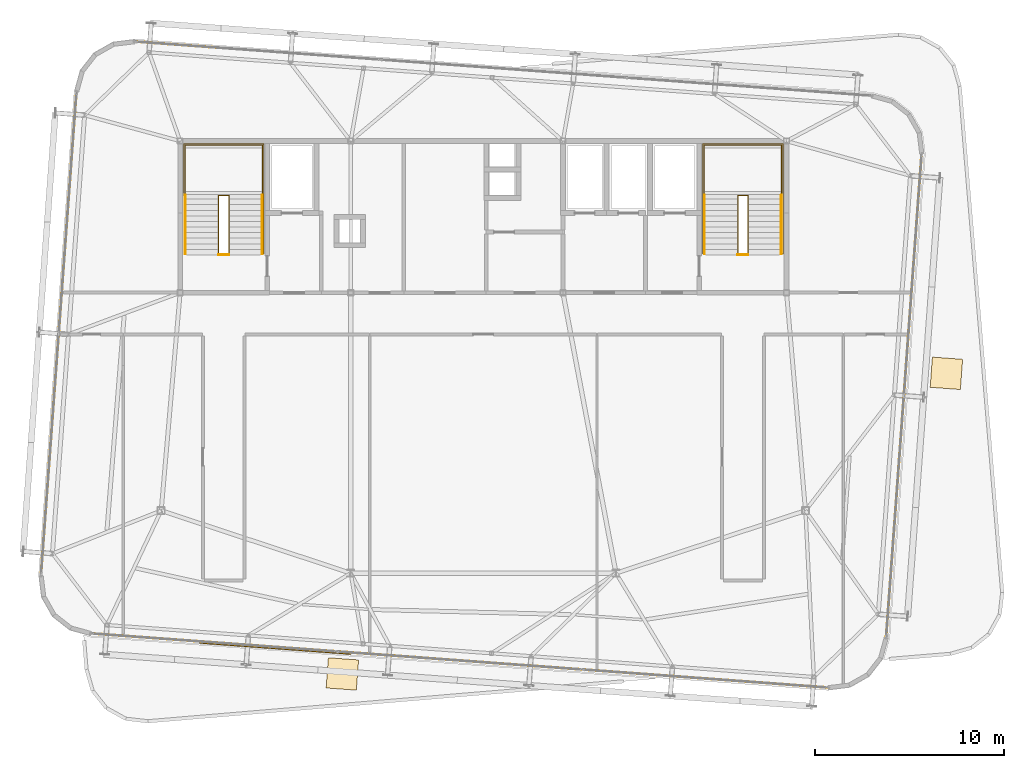
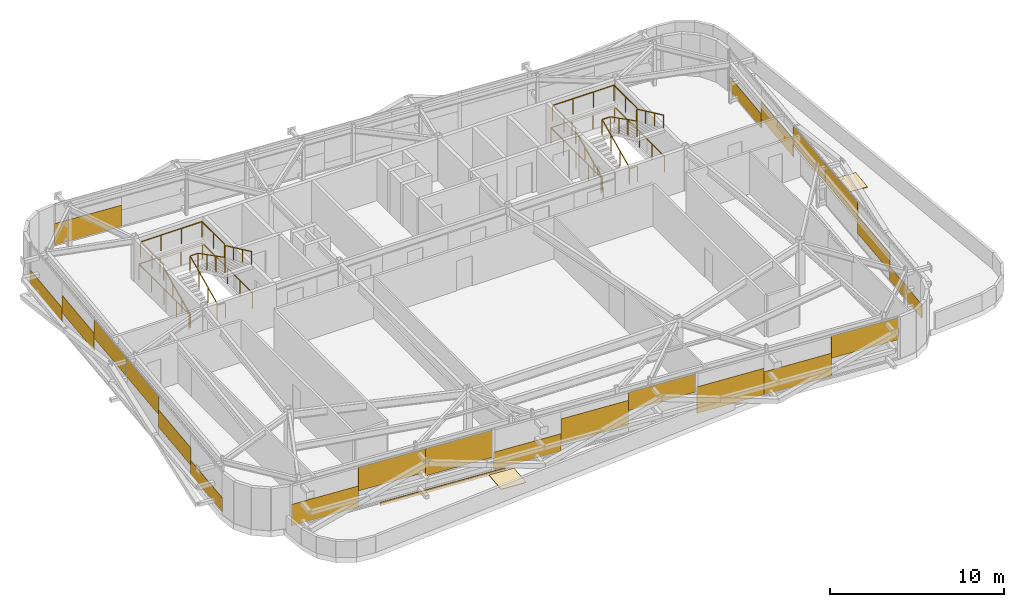
# One storey, part 36 of 37: 25 coverings, 12 railings.
"""IFC4 building model written with IfcOpenShell, lengths in metres."""

import ifcopenshell
import ifcopenshell.guid

model = None  # the IFC model being written
_history = None  # IfcOwnerHistory: only IFC2X3 demands one
_inside = {}  # id of a spatial element -> (the spatial element, [elements in it])
_under = {}  # id of a project, library or spatial element -> (it, [spatial elements below it])
_declared = {}  # id of a project -> (the project, [libraries it declares])
_typed = {}  # id of a type object -> (the type object, [elements of that type])
_made_of = {}  # id of a material, layer set ... -> (it, [elements and type objects made of it])


def new_model(schema):
    """Start an empty IFC model of exactly this schema.

    Asked for "IFC4X3", IfcOpenShell would pick the latest addendum, in which some entities
    have other attributes; the version numbers below select the first issue.
    IFC2X3 requires an IfcOwnerHistory on every rooted entity: one is made here for all.
    """
    global model, _history
    if schema == "IFC4X3":
        model = ifcopenshell.file(schema_version=(4, 3, 0, 0))
    else:
        model = ifcopenshell.file(schema=schema)
    _inside.clear()
    _under.clear()
    _declared.clear()
    _typed.clear()
    _made_of.clear()
    _history = None
    if model.schema == "IFC2X3":
        org = make("IfcOrganization", Name="unknown")
        user = make(
            "IfcPersonAndOrganization",
            ThePerson=make("IfcPerson", FamilyName="unknown"),
            TheOrganization=org,
        )
        app = make(
            "IfcApplication",
            ApplicationDeveloper=org,
            Version="unknown",
            ApplicationFullName="unknown",
            ApplicationIdentifier="unknown",
        )
        _history = make(
            "IfcOwnerHistory",
            OwningUser=user,
            OwningApplication=app,
            ChangeAction="ADDED",
            CreationDate=0,
        )
    return model


def make(cls, **values):
    """One entity of the class cls with the attributes given. An attribute that is None is left unset."""
    return model.create_entity(
        cls, **{name: value for name, value in values.items() if value is not None}
    )


def rooted(cls, **values):
    """An entity with a GlobalId (a new one), such as an element, a storey or a relation."""
    return make(cls, GlobalId=ifcopenshell.guid.new(), OwnerHistory=_history, **values)


def si_unit(unit_type, name, prefix=None):
    """IfcSIUnit, for example si_unit("LENGTHUNIT", "METRE", prefix="MILLI")."""
    return make("IfcSIUnit", UnitType=unit_type, Prefix=prefix, Name=name)


def assignment(units):
    """IfcUnitAssignment: the units of a project."""
    return None if units is None else make("IfcUnitAssignment", Units=units)


def point(xyz):
    """IfcCartesianPoint."""
    return None if xyz is None else make("IfcCartesianPoint", Coordinates=xyz)


def direction(xyz):
    """IfcDirection."""
    return None if xyz is None else make("IfcDirection", DirectionRatios=xyz)


def frame(location, z_axis=None, x_axis=None):
    """IfcAxis2Placement3D, a coordinate frame: its origin and axes. An axis left out is left unset."""
    return make(
        "IfcAxis2Placement3D",
        Location=point(location),
        Axis=direction(z_axis),
        RefDirection=direction(x_axis),
    )


def frame_2d(location, x_axis=None):
    """IfcAxis2Placement2D, a coordinate frame in the plane: its origin and x axis."""
    return make(
        "IfcAxis2Placement2D", Location=point(location), RefDirection=direction(x_axis)
    )


def origin():
    """The frame at (0, 0, 0) with its axes left unset."""
    return frame((0.0, 0.0, 0.0))


def origin_2d():
    """The frame at (0, 0) in the plane with its x axis left unset."""
    return frame_2d((0.0, 0.0))


def place(relative_to, where):
    """IfcLocalPlacement: puts the frame where relative to a parent placement (None: the world)."""
    return make(
        "IfcLocalPlacement", PlacementRelTo=relative_to, RelativePlacement=where
    )


def context(
    kind, dimensions, precision=None, world=None, true_north=None, identifier=None
):
    """IfcGeometricRepresentationContext, for example the 3D "Model" context."""
    return make(
        "IfcGeometricRepresentationContext",
        ContextIdentifier=identifier,
        ContextType=kind,
        CoordinateSpaceDimension=dimensions,
        Precision=precision,
        WorldCoordinateSystem=world,
        TrueNorth=true_north,
    )


def subcontext(parent, identifier, kind, view, scale=None):
    """IfcGeometricRepresentationSubContext, for example "Body" below "Model"."""
    return make(
        "IfcGeometricRepresentationSubContext",
        ContextIdentifier=identifier,
        ContextType=kind,
        ParentContext=parent,
        TargetScale=scale,
        TargetView=view,
    )


def project(units=None, contexts=None):
    """IfcProject with its units and contexts."""
    return rooted(
        "IfcProject",
        Name="project",
        RepresentationContexts=contexts,
        UnitsInContext=assignment(units),
    )


def spatial(cls, under=None, at=None, **own):
    """A site, building, storey or space (cls), placed at a placement, below another one or the project."""
    s = rooted(cls, ObjectPlacement=at, **own)
    if under is not None:
        _under.setdefault(under.id(), (under, []))[1].append(s)
    return s


def profile(cls, at=None, kind="AREA", **sizes):
    """A parametric profile (cls). Its sizes go by their IFC names, for example OverallWidth=200.0."""
    return make(cls, ProfileType=kind, Position=at, **sizes)


def rectangle(**sizes):
    """IfcRectangleProfileDef."""
    return profile("IfcRectangleProfileDef", **sizes)


def extrude(swept, where, along, depth):
    """IfcExtrudedAreaSolid: the profile swept, set in the frame where, extruded along a direction by depth."""
    return make(
        "IfcExtrudedAreaSolid",
        SweptArea=swept,
        Position=where,
        ExtrudedDirection=direction(along),
        Depth=depth,
    )


def shape(context_of_items, identifier, shape_type, items):
    """IfcShapeRepresentation: the items that make up one representation, for example the "Body"."""
    return make(
        "IfcShapeRepresentation",
        ContextOfItems=context_of_items,
        RepresentationIdentifier=identifier,
        RepresentationType=shape_type,
        Items=items,
    )


def source(mapping_origin, context_of_items, identifier, shape_type, items):
    """IfcRepresentationMap: a shape defined once, which mapped items show again and again."""
    return make(
        "IfcRepresentationMap",
        MappingOrigin=mapping_origin,
        MappedRepresentation=shape(context_of_items, identifier, shape_type, items),
    )


def transform(
    local_origin,
    x_axis=None,
    y_axis=None,
    z_axis=None,
    scale=None,
    scale2=None,
    scale3=None,
    uniform=True,
):
    """IfcCartesianTransformationOperator3D, or its non-uniform kind. x_axis, y_axis, z_axis: its Axis1, 2, 3."""
    if uniform:
        return make(
            "IfcCartesianTransformationOperator3D",
            Axis1=direction(x_axis),
            Axis2=direction(y_axis),
            LocalOrigin=point(local_origin),
            Scale=scale,
            Axis3=direction(z_axis),
        )
    return make(
        "IfcCartesianTransformationOperator3DnonUniform",
        Axis1=direction(x_axis),
        Axis2=direction(y_axis),
        LocalOrigin=point(local_origin),
        Scale=scale,
        Axis3=direction(z_axis),
        Scale2=scale2,
        Scale3=scale3,
    )


def mapped(mapping_source, mapping_target):
    """IfcMappedItem: shows the shape of a source again, moved by a transform."""
    return make(
        "IfcMappedItem", MappingSource=mapping_source, MappingTarget=mapping_target
    )


def material(Name=None, Category=None):
    """IfcMaterial."""
    return make("IfcMaterial", Name=Name, Category=Category)


def layer(
    of_material, thickness, ventilated=None, Name=None, Category=None, Priority=None
):
    """IfcMaterialLayer: one layer of a wall or slab, of a material (None: an air gap)."""
    return make(
        "IfcMaterialLayer",
        Material=of_material,
        LayerThickness=thickness,
        IsVentilated=ventilated,
        Name=Name,
        Category=Category,
        Priority=Priority,
    )


def layer_set(layers, Name=None):
    """IfcMaterialLayerSet."""
    return make("IfcMaterialLayerSet", MaterialLayers=layers, LayerSetName=Name)


def made_of(thing, what):
    """Note that an element or type object is made of a material, layer set ...; save() writes the relation."""
    if what is not None:
        _made_of.setdefault(what.id(), (what, []))[1].append(thing)
    return thing


def type_object(cls, material=None, **own):
    """A type object (cls), such as IfcWallType, which elements share."""
    return made_of(rooted(cls, **own), material)


def element(
    cls,
    number,
    at=None,
    inside=None,
    cuts=None,
    type_object=None,
    material=None,
    context=None,
    identifier="Body",
    shape_type=None,
    held_by="IfcProductDefinitionShape",
    body=None,
    shapes=None,
    **own,
):
    """One element of the class cls, such as IfcWall. Its Tag is "e" and its number.

    at: its placement. inside: the storey or other place that contains it. cuts: it is an
    opening in that element (IfcRelVoidsElement). A single representation is given by context,
    identifier, shape_type and body (its items); several are given by shapes. held_by: the class
    of the entity that holds the representations. save() writes the other relations.
    """
    e = rooted(cls, Tag="e%d" % number, ObjectPlacement=at, **own)
    if body is not None:
        shapes = [shape(context, identifier, shape_type, body)]
    if shapes is not None:
        e.Representation = make(held_by, Representations=shapes)
    if inside is not None:
        _inside.setdefault(inside.id(), (inside, []))[1].append(e)
    if cuts is not None:
        rooted(
            "IfcRelVoidsElement", RelatingBuildingElement=cuts, RelatedOpeningElement=e
        )
    if type_object is not None:
        _typed.setdefault(type_object.id(), (type_object, []))[1].append(e)
    return made_of(e, material)


def aggregate(whole, parts):
    """IfcRelAggregates: a whole, such as a stair, and the parts it consists of."""
    return rooted("IfcRelAggregates", RelatingObject=whole, RelatedObjects=parts)


def save(model, path):
    """Write the relations noted so far, then the file.

    IfcRelAggregates (storeys below a building ...), IfcRelContainedInSpatialStructure (elements
    in a storey), IfcRelDefinesByType, IfcRelAssociatesMaterial and IfcRelDeclares: one each for
    every whole, place, type object, material and project.
    """
    for whole, parts in _under.values():
        aggregate(whole, parts)
    for where, things in _inside.values():
        rooted(
            "IfcRelContainedInSpatialStructure",
            RelatedElements=things,
            RelatingStructure=where,
        )
    for kind, things in _typed.values():
        rooted("IfcRelDefinesByType", RelatedObjects=things, RelatingType=kind)
    for what, things in _made_of.values():
        rooted("IfcRelAssociatesMaterial", RelatedObjects=things, RelatingMaterial=what)
    for by, libraries in _declared.values():
        rooted("IfcRelDeclares", RelatingContext=by, RelatedDefinitions=libraries)
    model.write(path)


model = new_model("IFC4")

# Units and contexts
model_context = context("Model", 3, precision=1e-05, world=origin(), true_north=direction((0.0, 1.0)))
body_context = subcontext(model_context, "Body", "Model", "MODEL_VIEW")
ifc_project = project(units=[si_unit("LENGTHUNIT", "METRE"), si_unit("AREAUNIT", "SQUARE_METRE"), si_unit("VOLUMEUNIT", "CUBIC_METRE"), si_unit("PLANEANGLEUNIT", "RADIAN"), si_unit("MASSUNIT", "GRAM", prefix="KILO")], contexts=[model_context])

# Site, building, storey
site_placement = place(None, origin())
site = spatial("IfcSite", under=ifc_project, at=site_placement, CompositionType="ELEMENT")
building_placement = place(site_placement, origin())
building = spatial("IfcBuilding", under=site, at=building_placement, Name="Taldren Reach Tower", CompositionType="ELEMENT")
storey_placement = place(building_placement, frame((0.0, 0.0, 211.39990234375)))
storey = spatial("IfcBuildingStorey", under=building, at=storey_placement, Name="L64", CompositionType="ELEMENT", Elevation=211.39990234375)

# Railings
ifc_material_1 = material(Name="Steel Gr 350 (C350L0)", Category="steel")
ifc_layer_1 = layer(ifc_material_1, 0.050048828125)
ifc_layer_set_1 = layer_set([ifc_layer_1], Name="Steel Gr 350 (C350L0)")
railing_type_1 = type_object("IfcRailingType", Name="RL-STAIR-GR", PredefinedType="GUARDRAIL", material=ifc_layer_set_1)
railing_1_placement = place(storey_placement, frame((19.260009765625, 29.135009765625, 1.5751953125)))
element("IfcRailing", 1, at=railing_1_placement, inside=storey, type_object=railing_type_1, Name="Stair half-landing perimeter guard ST1-L64", PredefinedType="GUARDRAIL", context=body_context, shape_type="SweptSolid", body=[
    extrude(rectangle(XDim=0.047852, YDim=0.047852, at=origin_2d()), frame((0.0, 0.0, 1.09619140625), z_axis=(0.0, 1.0, 0.0), x_axis=(-1.0, 0.0, 0.0)), (0.0, 0.0, 1.0), 2.64501953125),
    extrude(rectangle(XDim=0.047852, YDim=0.047852, at=origin_2d()), frame((0.0, 2.64501953125, 1.09619140625), z_axis=(1.0, 0.0, 0.0), x_axis=(0.0, 1.0, 0.0)), (0.0, 0.0, 1.0), 4.080078125),
    extrude(rectangle(XDim=0.047852, YDim=0.047852, at=origin_2d()), frame((4.080078125, 2.64501953125, 1.09619140625), z_axis=(0.0, -1.0, 0.0), x_axis=(1.0, 0.0, 0.0)), (0.0, 0.0, 1.0), 2.64501953125),
    extrude(rectangle(XDim=0.041992, YDim=0.041992, at=origin_2d()), origin(), (0.0, 0.0, 1.0), 1.072021484375),
    extrude(rectangle(XDim=0.041992, YDim=0.041992, at=origin_2d()), frame((0.0, 1.322509765625, 0.0)), (0.0, 0.0, 1.0), 1.072021484375),
    extrude(rectangle(XDim=0.041992, YDim=0.041992, at=origin_2d()), frame((0.0, 2.64501953125, 0.0)), (0.0, 0.0, 1.0), 1.072021484375),
    extrude(rectangle(XDim=0.041992, YDim=0.041992, at=origin_2d()), frame((1.360107421875, 2.64501953125, 0.0)), (0.0, 0.0, 1.0), 1.072021484375),
    extrude(rectangle(XDim=0.041992, YDim=0.041992, at=origin_2d()), frame((2.719970703125, 2.64501953125, 0.0)), (0.0, 0.0, 1.0), 1.072021484375),
    extrude(rectangle(XDim=0.041992, YDim=0.041992, at=origin_2d()), frame((4.080078125, 2.64501953125, 0.0)), (0.0, 0.0, 1.0), 1.072021484375),
    extrude(rectangle(XDim=0.041992, YDim=0.041992, at=origin_2d()), frame((4.080078125, 1.322509765625, 0.0)), (0.0, 0.0, 1.0), 1.072021484375),
    extrude(rectangle(XDim=0.041992, YDim=0.041992, at=origin_2d()), frame((4.080078125, 0.0, 0.0)), (0.0, 0.0, 1.0), 1.072021484375),
])
railing_2_placement = place(storey_placement, frame((21.030029296875, 26.050048828125, 0.13134765625)))
element("IfcRailing", 2, at=railing_2_placement, inside=storey, type_object=railing_type_1, Name="Stairwell inner guard ST1-L64", PredefinedType="GUARDRAIL", context=body_context, shape_type="SweptSolid", body=[
    extrude(rectangle(XDim=0.047852, YDim=0.047852, at=origin_2d()), frame((0.0, 0.0, 1.09619140625), z_axis=(0.0, 0.905710134349, 0.423897573167), x_axis=(-1.0, 0.0, 0.0)), (0.0, 0.0, 1.0), 3.406005859375),
    extrude(rectangle(XDim=0.047852, YDim=0.047852, at=origin_2d()), frame((0.0, 3.0849609375, 2.5400390625), z_axis=(1.0, 0.0, 0.0), x_axis=(0.0, 1.0, 0.0)), (0.0, 0.0, 1.0), 0.5400390625),
    extrude(rectangle(XDim=0.047852, YDim=0.047852, at=origin_2d()), frame((0.5400390625, 3.0849609375, 2.5400390625), z_axis=(0.0, -0.890645957773, 0.45469745755), x_axis=(1.0, 0.0, 0.0)), (0.0, 0.0, 1.0), 3.463623046875),
    extrude(rectangle(XDim=0.041992, YDim=0.041992, at=origin_2d()), origin(), (0.0, 0.0, 1.0), 1.072021484375),
    extrude(rectangle(XDim=0.041992, YDim=0.041992, at=origin_2d()), frame((0.0, 1.0283203125, 0.481201171875)), (0.0, 0.0, 1.0), 1.072021484375),
    extrude(rectangle(XDim=0.041992, YDim=0.041992, at=origin_2d()), frame((0.0, 2.056640625, 0.962646484375)), (0.0, 0.0, 1.0), 1.072021484375),
    extrude(rectangle(XDim=0.041992, YDim=0.041992, at=origin_2d()), frame((0.0, 3.0849609375, 1.44384765625)), (0.0, 0.0, 1.0), 1.072021484375),
    extrude(rectangle(XDim=0.041992, YDim=0.041992, at=origin_2d()), frame((0.5400390625, 3.0849609375, 1.44384765625)), (0.0, 0.0, 1.0), 1.072021484375),
    extrude(rectangle(XDim=0.041992, YDim=0.041992, at=origin_2d()), frame((0.5400390625, 2.056640625, 1.96875)), (0.0, 0.0, 1.0), 1.072021484375),
    extrude(rectangle(XDim=0.041992, YDim=0.041992, at=origin_2d()), frame((0.5400390625, 1.0283203125, 2.493896484375)), (0.0, 0.0, 1.0), 1.072021484375),
    extrude(rectangle(XDim=0.041992, YDim=0.041992, at=origin_2d()), frame((0.5400390625, 0.0, 3.018798828125)), (0.0, 0.0, 1.0), 1.072021484375),
])
railing_3_placement = place(storey_placement, frame((21.030029296875, 26.010009765625, 0.0)))
element("IfcRailing", 3, at=railing_3_placement, inside=storey, type_object=railing_type_1, Name="Stairwell landing slot guard ST1-L64", PredefinedType="GUARDRAIL", context=body_context, shape_type="SweptSolid", body=[
    extrude(rectangle(XDim=0.047852, YDim=0.047852, at=origin_2d()), frame((0.0, 0.0, 1.09619140625), z_axis=(1.0, 0.0, 0.0), x_axis=(0.0, 1.0, 0.0)), (0.0, 0.0, 1.0), 0.5400390625),
    extrude(rectangle(XDim=0.041992, YDim=0.041992, at=origin_2d()), origin(), (0.0, 0.0, 1.0), 1.072021484375),
    extrude(rectangle(XDim=0.041992, YDim=0.041992, at=origin_2d()), frame((0.5400390625, 0.0, 0.0)), (0.0, 0.0, 1.0), 1.072021484375),
])
railing_4_placement = place(storey_placement, frame((19.18994140625, 26.050048828125, 0.0)))
element("IfcRailing", 4, at=railing_4_placement, inside=storey, type_object=railing_type_1, Name="Stairwell floor opening guard ST1-L64", PredefinedType="GUARDRAIL", context=body_context, shape_type="SweptSolid", body=[
    extrude(rectangle(XDim=0.047852, YDim=0.047852, at=origin_2d()), frame((0.0, 0.0, 1.09619140625), z_axis=(0.0, 1.0, 0.0), x_axis=(-1.0, 0.0, 0.0)), (0.0, 0.0, 1.0), 5.800048828125),
    extrude(rectangle(XDim=0.047852, YDim=0.047852, at=origin_2d()), frame((0.0, 5.800048828125, 1.09619140625), z_axis=(1.0, 0.0, 0.0), x_axis=(0.0, 1.0, 0.0)), (0.0, 0.0, 1.0), 4.219970703125),
    extrude(rectangle(XDim=0.047852, YDim=0.047852, at=origin_2d()), frame((4.219970703125, 5.800048828125, 1.09619140625), z_axis=(0.0, -1.0, 0.0), x_axis=(1.0, 0.0, 0.0)), (0.0, 0.0, 1.0), 5.800048828125),
    extrude(rectangle(XDim=0.041992, YDim=0.041992, at=origin_2d()), origin(), (0.0, 0.0, 1.0), 1.072021484375),
    extrude(rectangle(XDim=0.041992, YDim=0.041992, at=origin_2d()), frame((0.0, 1.449951171875, 0.0)), (0.0, 0.0, 1.0), 1.072021484375),
    extrude(rectangle(XDim=0.041992, YDim=0.041992, at=origin_2d()), frame((0.0, 2.89990234375, 0.0)), (0.0, 0.0, 1.0), 1.072021484375),
    extrude(rectangle(XDim=0.041992, YDim=0.041992, at=origin_2d()), frame((0.0, 4.35009765625, 0.0)), (0.0, 0.0, 1.0), 1.072021484375),
    extrude(rectangle(XDim=0.041992, YDim=0.041992, at=origin_2d()), frame((0.0, 5.800048828125, 0.0)), (0.0, 0.0, 1.0), 1.072021484375),
    extrude(rectangle(XDim=0.041992, YDim=0.041992, at=origin_2d()), frame((1.40673828125, 5.800048828125, 0.0)), (0.0, 0.0, 1.0), 1.072021484375),
    extrude(rectangle(XDim=0.041992, YDim=0.041992, at=origin_2d()), frame((2.813232421875, 5.800048828125, 0.0)), (0.0, 0.0, 1.0), 1.072021484375),
    extrude(rectangle(XDim=0.041992, YDim=0.041992, at=origin_2d()), frame((4.219970703125, 5.800048828125, 0.0)), (0.0, 0.0, 1.0), 1.072021484375),
    extrude(rectangle(XDim=0.041992, YDim=0.041992, at=origin_2d()), frame((4.219970703125, 4.35009765625, 0.0)), (0.0, 0.0, 1.0), 1.072021484375),
    extrude(rectangle(XDim=0.041992, YDim=0.041992, at=origin_2d()), frame((4.219970703125, 2.89990234375, 0.0)), (0.0, 0.0, 1.0), 1.072021484375),
    extrude(rectangle(XDim=0.041992, YDim=0.041992, at=origin_2d()), frame((4.219970703125, 1.449951171875, 0.0)), (0.0, 0.0, 1.0), 1.072021484375),
    extrude(rectangle(XDim=0.041992, YDim=0.041992, at=origin_2d()), frame((4.219970703125, 0.0, 0.0)), (0.0, 0.0, 1.0), 1.072021484375),
])
railing_5_placement = place(storey_placement, frame((46.659912109375, 29.135009765625, 1.5751953125)))
element("IfcRailing", 5, at=railing_5_placement, inside=storey, type_object=railing_type_1, Name="Stair half-landing perimeter guard ST2-L64", PredefinedType="GUARDRAIL", context=body_context, shape_type="SweptSolid", body=[
    extrude(rectangle(XDim=0.047852, YDim=0.047852, at=origin_2d()), frame((0.0, 0.0, 1.09619140625), z_axis=(0.0, 1.0, 0.0), x_axis=(-1.0, 0.0, 0.0)), (0.0, 0.0, 1.0), 2.64501953125),
    extrude(rectangle(XDim=0.047852, YDim=0.047852, at=origin_2d()), frame((0.0, 2.64501953125, 1.09619140625), z_axis=(1.0, 0.0, 0.0), x_axis=(0.0, 1.0, 0.0)), (0.0, 0.0, 1.0), 4.080078125),
    extrude(rectangle(XDim=0.047852, YDim=0.047852, at=origin_2d()), frame((4.080078125, 2.64501953125, 1.09619140625), z_axis=(0.0, -1.0, 0.0), x_axis=(1.0, 0.0, 0.0)), (0.0, 0.0, 1.0), 2.64501953125),
    extrude(rectangle(XDim=0.041992, YDim=0.041992, at=origin_2d()), origin(), (0.0, 0.0, 1.0), 1.072021484375),
    extrude(rectangle(XDim=0.041992, YDim=0.041992, at=origin_2d()), frame((0.0, 1.322509765625, 0.0)), (0.0, 0.0, 1.0), 1.072021484375),
    extrude(rectangle(XDim=0.041992, YDim=0.041992, at=origin_2d()), frame((0.0, 2.64501953125, 0.0)), (0.0, 0.0, 1.0), 1.072021484375),
    extrude(rectangle(XDim=0.041992, YDim=0.041992, at=origin_2d()), frame((1.360107421875, 2.64501953125, 0.0)), (0.0, 0.0, 1.0), 1.072021484375),
    extrude(rectangle(XDim=0.041992, YDim=0.041992, at=origin_2d()), frame((2.719970703125, 2.64501953125, 0.0)), (0.0, 0.0, 1.0), 1.072021484375),
    extrude(rectangle(XDim=0.041992, YDim=0.041992, at=origin_2d()), frame((4.080078125, 2.64501953125, 0.0)), (0.0, 0.0, 1.0), 1.072021484375),
    extrude(rectangle(XDim=0.041992, YDim=0.041992, at=origin_2d()), frame((4.080078125, 1.322509765625, 0.0)), (0.0, 0.0, 1.0), 1.072021484375),
    extrude(rectangle(XDim=0.041992, YDim=0.041992, at=origin_2d()), frame((4.080078125, 0.0, 0.0)), (0.0, 0.0, 1.0), 1.072021484375),
])
railing_6_placement = place(storey_placement, frame((48.429931640625, 26.050048828125, 0.13134765625)))
element("IfcRailing", 6, at=railing_6_placement, inside=storey, type_object=railing_type_1, Name="Stairwell inner guard ST2-L64", PredefinedType="GUARDRAIL", context=body_context, shape_type="SweptSolid", body=[
    extrude(rectangle(XDim=0.047852, YDim=0.047852, at=origin_2d()), frame((0.0, 0.0, 1.09619140625), z_axis=(0.0, 0.905710134349, 0.423897573167), x_axis=(-1.0, 0.0, 0.0)), (0.0, 0.0, 1.0), 3.406005859375),
    extrude(rectangle(XDim=0.047852, YDim=0.047852, at=origin_2d()), frame((0.0, 3.0849609375, 2.5400390625), z_axis=(1.0, 0.0, 0.0), x_axis=(0.0, 1.0, 0.0)), (0.0, 0.0, 1.0), 0.5400390625),
    extrude(rectangle(XDim=0.047852, YDim=0.047852, at=origin_2d()), frame((0.5400390625, 3.0849609375, 2.5400390625), z_axis=(0.0, -0.890645957773, 0.45469745755), x_axis=(1.0, 0.0, 0.0)), (0.0, 0.0, 1.0), 3.463623046875),
    extrude(rectangle(XDim=0.041992, YDim=0.041992, at=origin_2d()), origin(), (0.0, 0.0, 1.0), 1.072021484375),
    extrude(rectangle(XDim=0.041992, YDim=0.041992, at=origin_2d()), frame((0.0, 1.0283203125, 0.481201171875)), (0.0, 0.0, 1.0), 1.072021484375),
    extrude(rectangle(XDim=0.041992, YDim=0.041992, at=origin_2d()), frame((0.0, 2.056640625, 0.962646484375)), (0.0, 0.0, 1.0), 1.072021484375),
    extrude(rectangle(XDim=0.041992, YDim=0.041992, at=origin_2d()), frame((0.0, 3.0849609375, 1.44384765625)), (0.0, 0.0, 1.0), 1.072021484375),
    extrude(rectangle(XDim=0.041992, YDim=0.041992, at=origin_2d()), frame((0.5400390625, 3.0849609375, 1.44384765625)), (0.0, 0.0, 1.0), 1.072021484375),
    extrude(rectangle(XDim=0.041992, YDim=0.041992, at=origin_2d()), frame((0.5400390625, 2.056640625, 1.96875)), (0.0, 0.0, 1.0), 1.072021484375),
    extrude(rectangle(XDim=0.041992, YDim=0.041992, at=origin_2d()), frame((0.5400390625, 1.0283203125, 2.493896484375)), (0.0, 0.0, 1.0), 1.072021484375),
    extrude(rectangle(XDim=0.041992, YDim=0.041992, at=origin_2d()), frame((0.5400390625, 0.0, 3.018798828125)), (0.0, 0.0, 1.0), 1.072021484375),
])
railing_7_placement = place(storey_placement, frame((48.429931640625, 26.010009765625, 0.0)))
element("IfcRailing", 7, at=railing_7_placement, inside=storey, type_object=railing_type_1, Name="Stairwell landing slot guard ST2-L64", PredefinedType="GUARDRAIL", context=body_context, shape_type="SweptSolid", body=[
    extrude(rectangle(XDim=0.047852, YDim=0.047852, at=origin_2d()), frame((0.0, 0.0, 1.09619140625), z_axis=(1.0, 0.0, 0.0), x_axis=(0.0, 1.0, 0.0)), (0.0, 0.0, 1.0), 0.5400390625),
    extrude(rectangle(XDim=0.041992, YDim=0.041992, at=origin_2d()), origin(), (0.0, 0.0, 1.0), 1.072021484375),
    extrude(rectangle(XDim=0.041992, YDim=0.041992, at=origin_2d()), frame((0.5400390625, 0.0, 0.0)), (0.0, 0.0, 1.0), 1.072021484375),
])
railing_8_placement = place(storey_placement, frame((46.590087890625, 26.050048828125, 0.0)))
element("IfcRailing", 8, at=railing_8_placement, inside=storey, type_object=railing_type_1, Name="Stairwell floor opening guard ST2-L64", PredefinedType="GUARDRAIL", context=body_context, shape_type="SweptSolid", body=[
    extrude(rectangle(XDim=0.047852, YDim=0.047852, at=origin_2d()), frame((0.0, 0.0, 1.09619140625), z_axis=(0.0, 1.0, 0.0), x_axis=(-1.0, 0.0, 0.0)), (0.0, 0.0, 1.0), 5.800048828125),
    extrude(rectangle(XDim=0.047852, YDim=0.047852, at=origin_2d()), frame((0.0, 5.800048828125, 1.09619140625), z_axis=(1.0, 0.0, 0.0), x_axis=(0.0, 1.0, 0.0)), (0.0, 0.0, 1.0), 4.219970703125),
    extrude(rectangle(XDim=0.047852, YDim=0.047852, at=origin_2d()), frame((4.219970703125, 5.800048828125, 1.09619140625), z_axis=(0.0, -1.0, 0.0), x_axis=(1.0, 0.0, 0.0)), (0.0, 0.0, 1.0), 5.800048828125),
    extrude(rectangle(XDim=0.041992, YDim=0.041992, at=origin_2d()), origin(), (0.0, 0.0, 1.0), 1.072021484375),
    extrude(rectangle(XDim=0.041992, YDim=0.041992, at=origin_2d()), frame((0.0, 1.449951171875, 0.0)), (0.0, 0.0, 1.0), 1.072021484375),
    extrude(rectangle(XDim=0.041992, YDim=0.041992, at=origin_2d()), frame((0.0, 2.89990234375, 0.0)), (0.0, 0.0, 1.0), 1.072021484375),
    extrude(rectangle(XDim=0.041992, YDim=0.041992, at=origin_2d()), frame((0.0, 4.35009765625, 0.0)), (0.0, 0.0, 1.0), 1.072021484375),
    extrude(rectangle(XDim=0.041992, YDim=0.041992, at=origin_2d()), frame((0.0, 5.800048828125, 0.0)), (0.0, 0.0, 1.0), 1.072021484375),
    extrude(rectangle(XDim=0.041992, YDim=0.041992, at=origin_2d()), frame((1.40673828125, 5.800048828125, 0.0)), (0.0, 0.0, 1.0), 1.072021484375),
    extrude(rectangle(XDim=0.041992, YDim=0.041992, at=origin_2d()), frame((2.813232421875, 5.800048828125, 0.0)), (0.0, 0.0, 1.0), 1.072021484375),
    extrude(rectangle(XDim=0.041992, YDim=0.041992, at=origin_2d()), frame((4.219970703125, 5.800048828125, 0.0)), (0.0, 0.0, 1.0), 1.072021484375),
    extrude(rectangle(XDim=0.041992, YDim=0.041992, at=origin_2d()), frame((4.219970703125, 4.35009765625, 0.0)), (0.0, 0.0, 1.0), 1.072021484375),
    extrude(rectangle(XDim=0.041992, YDim=0.041992, at=origin_2d()), frame((4.219970703125, 2.89990234375, 0.0)), (0.0, 0.0, 1.0), 1.072021484375),
    extrude(rectangle(XDim=0.041992, YDim=0.041992, at=origin_2d()), frame((4.219970703125, 1.449951171875, 0.0)), (0.0, 0.0, 1.0), 1.072021484375),
    extrude(rectangle(XDim=0.041992, YDim=0.041992, at=origin_2d()), frame((4.219970703125, 0.0, 0.0)), (0.0, 0.0, 1.0), 1.072021484375),
])
ifc_material_2 = material(Name="Stainless Steel Gr 316", Category="steel")
ifc_layer_2 = layer(ifc_material_2, 0.048095703125)
ifc_layer_set_2 = layer_set([ifc_layer_2], Name="Stainless Steel Gr 316")
railing_type_2 = type_object("IfcRailingType", Name="RL-STAIR-HR", PredefinedType="HANDRAIL", material=ifc_layer_set_2)
railing_9_placement = place(storey_placement, frame((19.27001953125, 26.050048828125, 0.13134765625)))
element("IfcRailing", 9, at=railing_9_placement, inside=storey, type_object=railing_type_2, Name="Stair flight handrail ST1-L64-1", PredefinedType="HANDRAIL", context=body_context, shape_type="SweptSolid", body=[
    extrude(rectangle(XDim=0.047852, YDim=0.047852, at=origin_2d()), frame((0.0, 0.0, 0.89599609375), z_axis=(0.0, 0.905710134349, 0.423897573167), x_axis=(-1.0, 0.0, 0.0)), (0.0, 0.0, 1.0), 3.406005859375),
    extrude(rectangle(XDim=0.041992, YDim=0.041992, at=origin_2d()), origin(), (0.0, 0.0, 1.0), 0.871826171875),
    extrude(rectangle(XDim=0.041992, YDim=0.041992, at=origin_2d()), frame((0.0, 1.0283203125, 0.481201171875)), (0.0, 0.0, 1.0), 0.871826171875),
    extrude(rectangle(XDim=0.041992, YDim=0.041992, at=origin_2d()), frame((0.0, 2.056640625, 0.962646484375)), (0.0, 0.0, 1.0), 0.871826171875),
    extrude(rectangle(XDim=0.041992, YDim=0.041992, at=origin_2d()), frame((0.0, 3.0849609375, 1.44384765625)), (0.0, 0.0, 1.0), 0.871826171875),
])
railing_10_placement = place(storey_placement, frame((23.330078125, 29.135009765625, 1.706298828125)))
element("IfcRailing", 10, at=railing_10_placement, inside=storey, type_object=railing_type_2, Name="Stair flight handrail ST1-L64-2", PredefinedType="HANDRAIL", context=body_context, shape_type="SweptSolid", body=[
    extrude(rectangle(XDim=0.047852, YDim=0.047852, at=origin_2d()), frame((0.0, 0.0, 0.89599609375), z_axis=(0.0, -0.905710134349, 0.423897573167), x_axis=(1.0, 0.0, 0.0)), (0.0, 0.0, 1.0), 3.406005859375),
    extrude(rectangle(XDim=0.041992, YDim=0.041992, at=origin_2d()), origin(), (0.0, 0.0, 1.0), 0.871826171875),
    extrude(rectangle(XDim=0.041992, YDim=0.041992, at=origin_2d()), frame((0.0, -1.0283203125, 0.481201171875)), (0.0, 0.0, 1.0), 0.871826171875),
    extrude(rectangle(XDim=0.041992, YDim=0.041992, at=origin_2d()), frame((0.0, -2.056640625, 0.962646484375)), (0.0, 0.0, 1.0), 0.871826171875),
    extrude(rectangle(XDim=0.041992, YDim=0.041992, at=origin_2d()), frame((0.0, -3.0849609375, 1.44384765625)), (0.0, 0.0, 1.0), 0.871826171875),
])
railing_11_placement = place(storey_placement, frame((46.669921875, 26.050048828125, 0.13134765625)))
element("IfcRailing", 11, at=railing_11_placement, inside=storey, type_object=railing_type_2, Name="Stair flight handrail ST2-L64-1", PredefinedType="HANDRAIL", context=body_context, shape_type="SweptSolid", body=[
    extrude(rectangle(XDim=0.047852, YDim=0.047852, at=origin_2d()), frame((0.0, 0.0, 0.89599609375), z_axis=(0.0, 0.905710134349, 0.423897573167), x_axis=(-1.0, 0.0, 0.0)), (0.0, 0.0, 1.0), 3.406005859375),
    extrude(rectangle(XDim=0.041992, YDim=0.041992, at=origin_2d()), origin(), (0.0, 0.0, 1.0), 0.871826171875),
    extrude(rectangle(XDim=0.041992, YDim=0.041992, at=origin_2d()), frame((0.0, 1.0283203125, 0.481201171875)), (0.0, 0.0, 1.0), 0.871826171875),
    extrude(rectangle(XDim=0.041992, YDim=0.041992, at=origin_2d()), frame((0.0, 2.056640625, 0.962646484375)), (0.0, 0.0, 1.0), 0.871826171875),
    extrude(rectangle(XDim=0.041992, YDim=0.041992, at=origin_2d()), frame((0.0, 3.0849609375, 1.44384765625)), (0.0, 0.0, 1.0), 0.871826171875),
])
railing_12_placement = place(storey_placement, frame((50.72998046875, 29.135009765625, 1.706298828125)))
element("IfcRailing", 12, at=railing_12_placement, inside=storey, type_object=railing_type_2, Name="Stair flight handrail ST2-L64-2", PredefinedType="HANDRAIL", context=body_context, shape_type="SweptSolid", body=[
    extrude(rectangle(XDim=0.047852, YDim=0.047852, at=origin_2d()), frame((0.0, 0.0, 0.89599609375), z_axis=(0.0, -0.905710134349, 0.423897573167), x_axis=(1.0, 0.0, 0.0)), (0.0, 0.0, 1.0), 3.406005859375),
    extrude(rectangle(XDim=0.041992, YDim=0.041992, at=origin_2d()), origin(), (0.0, 0.0, 1.0), 0.871826171875),
    extrude(rectangle(XDim=0.041992, YDim=0.041992, at=origin_2d()), frame((0.0, -1.0283203125, 0.481201171875)), (0.0, 0.0, 1.0), 0.871826171875),
    extrude(rectangle(XDim=0.041992, YDim=0.041992, at=origin_2d()), frame((0.0, -2.056640625, 0.962646484375)), (0.0, 0.0, 1.0), 0.871826171875),
    extrude(rectangle(XDim=0.041992, YDim=0.041992, at=origin_2d()), frame((0.0, -3.0849609375, 1.44384765625)), (0.0, 0.0, 1.0), 0.871826171875),
])

# Coverings
ifc_material_3 = material(Name="Pale Champagne Fluoropolymer Aluminium Spandrel Cladding", Category="aluminium")
ifc_layer_3 = layer(ifc_material_3, 0.06005859375)
ifc_layer_set_3 = layer_set([ifc_layer_3], Name="Pale Champagne Fluoropolymer Aluminium Spandrel Cladding")
covering_type_1 = type_object("IfcCoveringType", Name="CV-CLAD-060", PredefinedType="CLADDING", material=ifc_layer_set_3)
shared_shape_1 = source(origin(), body_context, "Body", "SweptSolid", [
    extrude(rectangle(XDim=8.0, YDim=0.06005859375, at=origin_2d()), origin(), (0.0, 0.0, 1.0), 0.219970703125),
])
covering_1_placement = place(storey_placement, frame((24.02490234375, 5.236328125, -0.2197265625), z_axis=(0.0, 0.0, 1.0), x_axis=(0.997314477224, -0.073238197128, 0.0)))
element("IfcCovering", 13, at=covering_1_placement, inside=storey, type_object=covering_type_1, Name="Pale-metal architectural fascia band L64", PredefinedType="CLADDING", context=body_context, shape_type="MappedRepresentation", body=[
    mapped(shared_shape_1, transform((0.0, 0.0, 0.0), scale=1.0)),
])
ifc_material_4 = material(Name="SBS Modified Bitumen Waterproofing and Ballast Membrane")
ifc_layer_4 = layer(ifc_material_4, 0.080078125)
ifc_layer_set_4 = layer_set([ifc_layer_4], Name="SBS Modified Bitumen Waterproofing and Ballast Membrane")
covering_type_2 = type_object("IfcCoveringType", Name="CV-ROOF-080", PredefinedType="ROOFING", material=ifc_layer_set_4)
shared_shape_2 = source(origin(), body_context, "Body", "SweptSolid", [
    extrude(rectangle(XDim=1.60009765625, YDim=1.60009765625, at=origin_2d()), origin(), (0.0, 0.0, 1.0), 0.0400390625),
])
for number, where, z_axis, x_axis, name in (
    (14, (59.43603515625, 19.745849609375, 0.0), (0.0, 0.0, 1.0), (0.997314477224, -0.073238197128, 0.0), "Terrace waterproofing layer L64-1"),
    (15, (27.560302734375, 3.879638671875, 0.0), (0.0, 0.0, 1.0), (0.997314477224, -0.073238197128, 0.0), "Terrace waterproofing layer L64-2"),
):
    element("IfcCovering", number, at=place(storey_placement, frame(where, z_axis=z_axis, x_axis=x_axis)), inside=storey, type_object=covering_type_2, Name=name, PredefinedType="ROOFING", context=body_context, shape_type="MappedRepresentation", body=[
        mapped(shared_shape_2, transform((0.0, 0.0, 0.0), scale=1.0)),
    ])
ifc_layer_5 = layer(ifc_material_3, 0.0439453125)
ifc_layer_set_5 = layer_set([ifc_layer_5], Name="Pale Champagne Fluoropolymer Aluminium Spandrel Cladding")
covering_type_3 = type_object("IfcCoveringType", Name="CV-CLAD-044", PredefinedType="CLADDING", material=ifc_layer_set_5)
shared_shape_3 = source(origin(), body_context, "Body", "SweptSolid", [
    extrude(rectangle(XDim=4.2958984375, YDim=0.0439453125, at=origin_2d()), origin(), (0.0, 0.0, 1.0), 1.495849609375),
])
for number, where, z_axis, x_axis, name in (
    (16, (16.5224609375, 5.847412109375, 0.06005859375), (0.0, 0.0, 1.0), (0.997314476006, -0.073238213716, 0.0), "Diagrid closure cladding strip CW-6 panel 1.1 1"),
    (17, (18.816162109375, 37.083251953125, 0.06005859375), (0.0, 0.0, 1.0), (-0.997314476006, 0.073238213716, 0.0), "Diagrid closure cladding strip CW-6 panel 3.1 3"),
):
    element("IfcCovering", number, at=place(storey_placement, frame(where, z_axis=z_axis, x_axis=x_axis)), inside=storey, type_object=covering_type_3, Name=name, PredefinedType="CLADDING", context=body_context, shape_type="MappedRepresentation", body=[
        mapped(shared_shape_3, transform((0.0, 0.0, 0.0), scale=1.0)),
    ])
shared_shape_4 = source(origin(), body_context, "Body", "SweptSolid", [
    extrude(rectangle(XDim=4.2958984375, YDim=0.0439453125, at=origin_2d()), origin(), (0.0, 0.0, 1.0), 1.665771484375),
])
covering_2_placement = place(storey_placement, frame((20.806640625, 5.53271484375, 1.2041015625), z_axis=(0.0, 0.0, 1.0), x_axis=(0.997314476006, -0.073238213716, 0.0)))
element("IfcCovering", 18, at=covering_2_placement, inside=storey, type_object=covering_type_3, Name="Diagrid closure cladding strip CW-6 panel 1.1 2", PredefinedType="CLADDING", context=body_context, shape_type="MappedRepresentation", body=[
    mapped(shared_shape_4, transform((0.0, 0.0, 0.0), scale=1.0)),
])
shared_shape_5 = source(origin(), body_context, "Body", "SweptSolid", [
    extrude(rectangle(XDim=4.2958984375, YDim=0.0439453125, at=origin_2d()), origin(), (0.0, 0.0, 1.0), 1.9169921875),
])
covering_3_placement = place(storey_placement, frame((25.091064453125, 5.21826171875, 0.953125), z_axis=(0.0, 0.0, 1.0), x_axis=(0.997314476006, -0.073238213716, 0.0)))
element("IfcCovering", 19, at=covering_3_placement, inside=storey, type_object=covering_type_3, Name="Diagrid closure cladding strip CW-6 panel 1.1 3", PredefinedType="CLADDING", context=body_context, shape_type="MappedRepresentation", body=[
    mapped(shared_shape_5, transform((0.0, 0.0, 0.0), scale=1.0)),
])
shared_shape_6 = source(origin(), body_context, "Body", "SweptSolid", [
    extrude(rectangle(XDim=4.308349609375, YDim=0.0439453125, at=origin_2d()), origin(), (0.0, 0.0, 1.0), 1.22021484375),
])
covering_4_placement = place(storey_placement, frame((29.456298828125, 4.897705078125, 0.06005859375), z_axis=(0.0, 0.0, 1.0), x_axis=(0.997314476006, -0.073238213716, 0.0)))
element("IfcCovering", 20, at=covering_4_placement, inside=storey, type_object=covering_type_3, Name="Diagrid closure cladding strip CW-6 panel 2.1 1", PredefinedType="CLADDING", context=body_context, shape_type="MappedRepresentation", body=[
    mapped(shared_shape_6, transform((0.0, 0.0, 0.0), scale=1.0)),
])
shared_shape_7 = source(origin(), body_context, "Body", "SweptSolid", [
    extrude(rectangle(XDim=4.308349609375, YDim=0.0439453125, at=origin_2d()), origin(), (0.0, 0.0, 1.0), 1.75146484375),
])
covering_5_placement = place(storey_placement, frame((33.753173828125, 4.58203125, 0.559326171875), z_axis=(0.0, 0.0, 1.0), x_axis=(0.997314476006, -0.073238213716, 0.0)))
element("IfcCovering", 21, at=covering_5_placement, inside=storey, type_object=covering_type_3, Name="Diagrid closure cladding strip CW-6 panel 2.1 2", PredefinedType="CLADDING", context=body_context, shape_type="MappedRepresentation", body=[
    mapped(shared_shape_7, transform((0.0, 0.0, 0.0), scale=1.0)),
])
shared_shape_8 = source(origin(), body_context, "Body", "SweptSolid", [
    extrude(rectangle(XDim=4.308349609375, YDim=0.0439453125, at=origin_2d()), origin(), (0.0, 0.0, 1.0), 1.2802734375),
])
covering_6_placement = place(storey_placement, frame((38.0498046875, 4.2666015625, 1.58984375), z_axis=(0.0, 0.0, 1.0), x_axis=(0.997314476006, -0.073238213716, 0.0)))
element("IfcCovering", 22, at=covering_6_placement, inside=storey, type_object=covering_type_3, Name="Diagrid closure cladding strip CW-6 panel 2.1 3", PredefinedType="CLADDING", context=body_context, shape_type="MappedRepresentation", body=[
    mapped(shared_shape_8, transform((0.0, 0.0, 0.0), scale=1.0)),
])
shared_shape_9 = source(origin(), body_context, "Body", "SweptSolid", [
    extrude(rectangle(XDim=4.2958984375, YDim=0.0439453125, at=origin_2d()), origin(), (0.0, 0.0, 1.0), 1.85693359375),
])
covering_7_placement = place(storey_placement, frame((42.415283203125, 3.946044921875, 0.06005859375), z_axis=(0.0, 0.0, 1.0), x_axis=(0.997314476006, -0.073238213716, 0.0)))
element("IfcCovering", 23, at=covering_7_placement, inside=storey, type_object=covering_type_3, Name="Diagrid closure cladding strip CW-6 panel 3.1 1", PredefinedType="CLADDING", context=body_context, shape_type="MappedRepresentation", body=[
    mapped(shared_shape_9, transform((0.0, 0.0, 0.0), scale=1.0)),
])
shared_shape_10 = source(origin(), body_context, "Body", "SweptSolid", [
    extrude(rectangle(XDim=4.2958984375, YDim=0.0439453125, at=origin_2d()), origin(), (0.0, 0.0, 1.0), 1.605712890625),
])
covering_8_placement = place(storey_placement, frame((46.699462890625, 3.63134765625, 0.06005859375), z_axis=(0.0, 0.0, 1.0), x_axis=(0.997314476006, -0.073238213716, 0.0)))
element("IfcCovering", 24, at=covering_8_placement, inside=storey, type_object=covering_type_3, Name="Diagrid closure cladding strip CW-6 panel 3.1 2", PredefinedType="CLADDING", context=body_context, shape_type="MappedRepresentation", body=[
    mapped(shared_shape_10, transform((0.0, 0.0, 0.0), scale=1.0)),
])
shared_shape_11 = source(origin(), body_context, "Body", "SweptSolid", [
    extrude(rectangle(XDim=4.2958984375, YDim=0.0439453125, at=origin_2d()), origin(), (0.0, 0.0, 1.0), 1.555908203125),
])
covering_9_placement = place(storey_placement, frame((50.98388671875, 3.316650390625, 1.31396484375), z_axis=(0.0, 0.0, 1.0), x_axis=(0.997314476006, -0.073238213716, 0.0)))
element("IfcCovering", 25, at=covering_9_placement, inside=storey, type_object=covering_type_3, Name="Diagrid closure cladding strip CW-6 panel 3.1 3", PredefinedType="CLADDING", context=body_context, shape_type="MappedRepresentation", body=[
    mapped(shared_shape_11, transform((0.0, 0.0, 0.0), scale=1.0)),
])
shared_shape_12 = source(origin(), body_context, "Body", "SweptSolid", [
    extrude(rectangle(XDim=4.229248046875, YDim=0.0439453125, at=origin_2d()), origin(), (0.0, 0.0, 1.0), 0.981201171875),
])
for number, where, z_axis, x_axis, name in (
    (26, (13.377197265625, 32.41943359375, 0.06005859375), (0.0, 0.0, 1.0), (-0.073238282558, -0.997314470951, 0.0), "Diagrid closure cladding strip CW-6 panel 1.1 1"),
    (27, (11.822998046875, 11.255615234375, 0.06005859375), (0.0, 0.0, 1.0), (-0.073238282558, -0.997314470951, 0.0), "Diagrid closure cladding strip CW-6 panel 2.1 3"),
    (28, (56.4228515625, 7.98046875, 0.06005859375), (0.0, 0.0, 1.0), (0.073238282558, 0.997314470951, 0.0), "Diagrid closure cladding strip CW-6 panel 1.1 1"),
    (29, (57.97705078125, 29.144287109375, 0.06005859375), (0.0, 0.0, 1.0), (0.073238282558, 0.997314470951, 0.0), "Diagrid closure cladding strip CW-6 panel 2.1 3"),
):
    element("IfcCovering", number, at=place(storey_placement, frame(where, z_axis=z_axis, x_axis=x_axis)), inside=storey, type_object=covering_type_3, Name=name, PredefinedType="CLADDING", context=body_context, shape_type="MappedRepresentation", body=[
        mapped(shared_shape_12, transform((0.0, 0.0, 0.0), scale=1.0)),
    ])
shared_shape_13 = source(origin(), body_context, "Body", "SweptSolid", [
    extrude(rectangle(XDim=4.229248046875, YDim=0.0439453125, at=origin_2d()), origin(), (0.0, 0.0, 1.0), 1.22802734375),
])
for number, where, z_axis, x_axis, name in (
    (30, (13.0673828125, 28.20166015625, 0.69921875), (0.0, 0.0, 1.0), (-0.073238282558, -0.997314470951, 0.0), "Diagrid closure cladding strip CW-6 panel 1.1 2"),
    (31, (12.1328125, 15.473388671875, 0.69921875), (0.0, 0.0, 1.0), (-0.073238282558, -0.997314470951, 0.0), "Diagrid closure cladding strip CW-6 panel 2.1 2"),
    (32, (56.732666015625, 12.1982421875, 0.69921875), (0.0, 0.0, 1.0), (0.073238282558, 0.997314470951, 0.0), "Diagrid closure cladding strip CW-6 panel 1.1 2"),
    (33, (57.667236328125, 24.926513671875, 0.69921875), (0.0, 0.0, 1.0), (0.073238282558, 0.997314470951, 0.0), "Diagrid closure cladding strip CW-6 panel 2.1 2"),
):
    element("IfcCovering", number, at=place(storey_placement, frame(where, z_axis=z_axis, x_axis=x_axis)), inside=storey, type_object=covering_type_3, Name=name, PredefinedType="CLADDING", context=body_context, shape_type="MappedRepresentation", body=[
        mapped(shared_shape_13, transform((0.0, 0.0, 0.0), scale=1.0)),
    ])
shared_shape_14 = source(origin(), body_context, "Body", "SweptSolid", [
    extrude(rectangle(XDim=4.229248046875, YDim=0.0439453125, at=origin_2d()), origin(), (0.0, 0.0, 1.0), 1.284912109375),
])
for number, where, z_axis, x_axis, name in (
    (34, (12.757568359375, 23.98388671875, 1.58544921875), (0.0, 0.0, 1.0), (-0.073238282558, -0.997314470951, 0.0), "Diagrid closure cladding strip CW-6 panel 1.1 3"),
    (35, (12.4423828125, 19.69140625, 1.58544921875), (0.0, 0.0, 1.0), (-0.073238282558, -0.997314470951, 0.0), "Diagrid closure cladding strip CW-6 panel 2.1 1"),
    (36, (57.042236328125, 16.416015625, 1.58544921875), (0.0, 0.0, 1.0), (0.073238282558, 0.997314470951, 0.0), "Diagrid closure cladding strip CW-6 panel 1.1 3"),
    (37, (57.357666015625, 20.708740234375, 1.58544921875), (0.0, 0.0, 1.0), (0.073238282558, 0.997314470951, 0.0), "Diagrid closure cladding strip CW-6 panel 2.1 1"),
):
    element("IfcCovering", number, at=place(storey_placement, frame(where, z_axis=z_axis, x_axis=x_axis)), inside=storey, type_object=covering_type_3, Name=name, PredefinedType="CLADDING", context=body_context, shape_type="MappedRepresentation", body=[
        mapped(shared_shape_14, transform((0.0, 0.0, 0.0), scale=1.0)),
    ])

save(model, "model.ifc")
